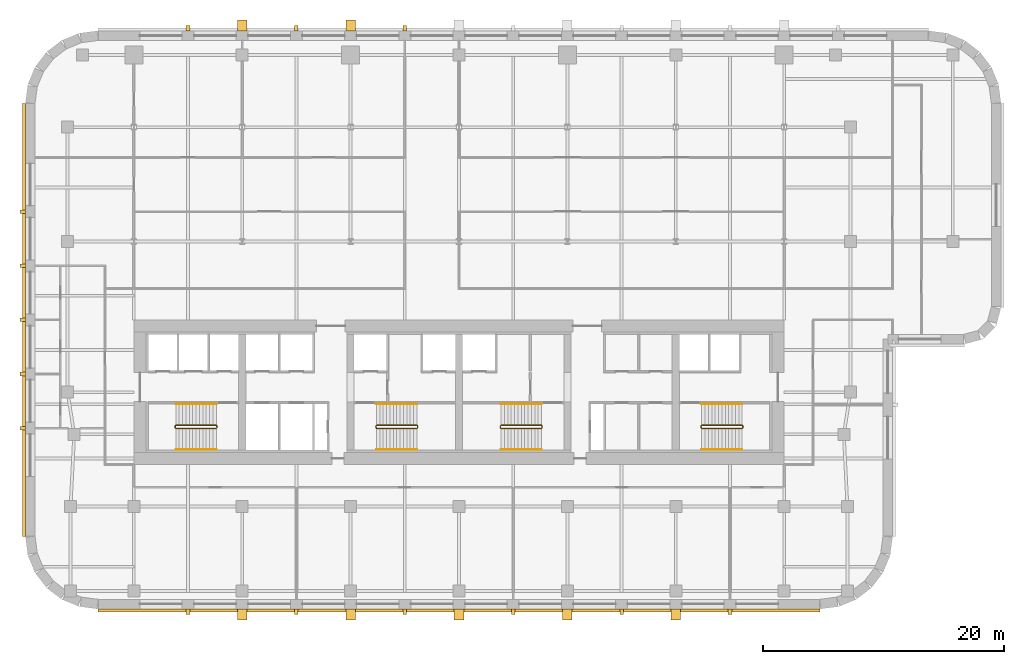
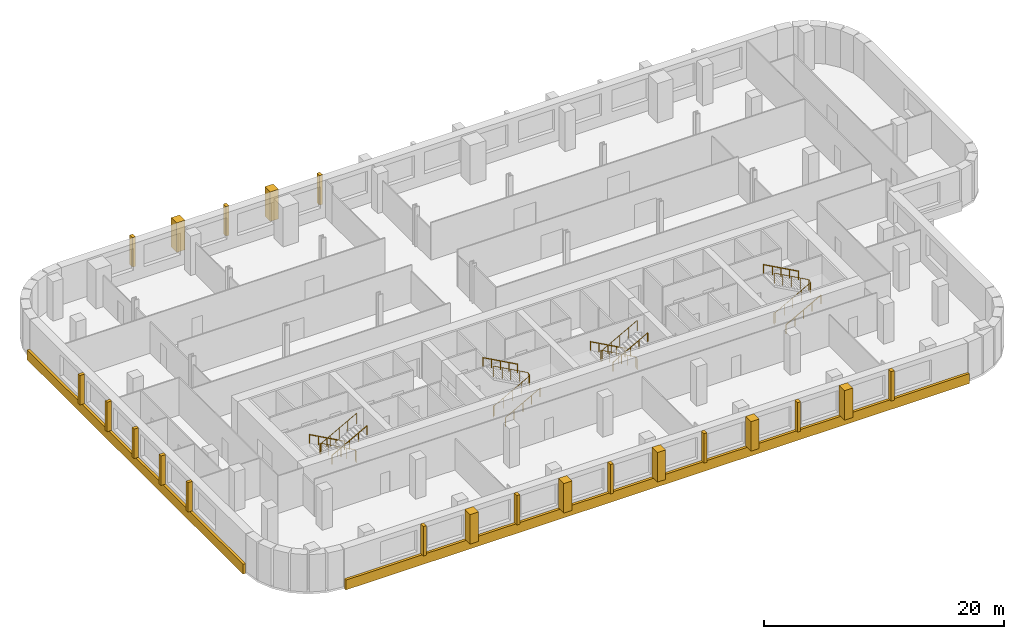
# One storey, part 9 of 10: 23 coverings, 12 railings.
"""IFC4 building model written with IfcOpenShell, lengths in metres."""

from ifc_helpers import new_model, si_unit, direction, frame, origin, origin_2d, place, context, subcontext, project, spatial, polyline, circle, outline, extrude, material, layer, layer_set, type_object, element, save


model = new_model("IFC4")

# Units and contexts
model_context = context("Model", 3, precision=1e-05, world=origin(), true_north=direction((0.0, 1.0)))
body_context = subcontext(model_context, "Body", "Model", "MODEL_VIEW")
ifc_project = project(units=[si_unit("LENGTHUNIT", "METRE"), si_unit("AREAUNIT", "SQUARE_METRE"), si_unit("VOLUMEUNIT", "CUBIC_METRE"), si_unit("PLANEANGLEUNIT", "RADIAN"), si_unit("MASSUNIT", "GRAM", prefix="KILO")], contexts=[model_context])

# Site, building, storey
site_placement = place(None, origin())
site = spatial("IfcSite", under=ifc_project, at=site_placement, CompositionType="ELEMENT")
building_placement = place(site_placement, origin())
building = spatial("IfcBuilding", under=site, at=building_placement, Name="Zellij Exchange Tower", CompositionType="ELEMENT")
storey_placement = place(building_placement, frame((0.0, 0.0, 124.5)))
storey = spatial("IfcBuildingStorey", under=building, at=storey_placement, Name="L27", CompositionType="ELEMENT", Elevation=124.5)

# Railings
ifc_material_1 = material(Name="Stainless steel", Category="steel")
railing_type_1 = type_object("IfcRailingType", Name="CORE-RG stair guard", PredefinedType="GUARDRAIL", material=ifc_material_1)
railing_1_placement = place(storey_placement, frame((-20.10009765625, -10.800048828125, 0.0)))
element("IfcRailing", 1, at=railing_1_placement, inside=storey, type_object=railing_type_1, Name="ST1 stair guard L27", PredefinedType="GUARDRAIL", context=body_context, shape_type="SweptSolid", body=[
    extrude(circle(Radius=0.02392578125, at=origin_2d()), frame((0.0, 0.0, 1.076171875), z_axis=(0.0, -1.0, 0.0), x_axis=(1.0, 0.0, 0.0)), (0.0, 0.0, 1.0), 0.14990234375),
    extrude(circle(Radius=0.02392578125, at=origin_2d()), frame((0.0, -0.14990234375, 1.076171875), z_axis=(-0.193691321961, 0.777613689637, 0.598164376644), x_axis=(-0.970351222016, -0.241699205484, 0.0)), (0.0, 0.0, 1.0), 0.257080078125),
    extrude(circle(Radius=0.02392578125, at=origin_2d()), frame((-0.0498046875, 0.050048828125, 1.22998046875), z_axis=(-0.876421534553, 0.0, 0.481544695509), x_axis=(0.0, -1.0, 0.0)), (0.0, 0.0, 1.0), 3.833984375),
    extrude(circle(Radius=0.02392578125, at=origin_2d()), frame((-3.409912109375, 0.050048828125, 3.076171875), z_axis=(-0.707106781187, -0.707106781187, 0.0), x_axis=(0.707106781187, -0.707106781187, 0.0)), (0.0, 0.0, 1.0), 0.07080078125),
    extrude(circle(Radius=0.02392578125, at=origin_2d()), frame((-3.4599609375, 0.0, 3.076171875), z_axis=(0.0, -1.0, 0.0), x_axis=(1.0, 0.0, 0.0)), (0.0, 0.0, 1.0), 0.14990234375),
    extrude(circle(Radius=0.02392578125, at=origin_2d()), frame((-3.4599609375, -0.14990234375, 3.076171875), z_axis=(0.295599637079, -0.295599637079, 0.908428152975), x_axis=(0.707106781187, 0.707106781187, 0.0)), (0.0, 0.0, 1.0), 0.16943359375),
    extrude(circle(Radius=0.02392578125, at=origin_2d()), frame((-3.409912109375, -0.199951171875, 3.22998046875), z_axis=(0.876421534553, 0.0, 0.481544695509), x_axis=(0.0, 1.0, 0.0)), (0.0, 0.0, 1.0), 3.833984375),
    extrude(circle(Radius=0.02099609375, at=origin_2d()), origin(), (0.0, 0.0, 1.0), 1.052001953125),
    extrude(circle(Radius=0.02099609375, at=origin_2d()), frame((0.0, -0.14990234375, 0.0)), (0.0, 0.0, 1.0), 1.052001953125),
    extrude(circle(Radius=0.02099609375, at=origin_2d()), frame((-0.0498046875, 0.050048828125, 0.15380859375)), (0.0, 0.0, 1.0), 1.052001953125),
    extrude(circle(Radius=0.02099609375, at=origin_2d()), frame((-0.889892578125, 0.050048828125, 0.615234375)), (0.0, 0.0, 1.0), 1.052001953125),
    extrude(circle(Radius=0.02099609375, at=origin_2d()), frame((-1.72998046875, 0.050048828125, 1.076904296875)), (0.0, 0.0, 1.0), 1.052001953125),
    extrude(circle(Radius=0.02099609375, at=origin_2d()), frame((-2.56982421875, 0.050048828125, 1.53857421875)), (0.0, 0.0, 1.0), 1.052001953125),
    extrude(circle(Radius=0.02099609375, at=origin_2d()), frame((-3.409912109375, 0.050048828125, 2.0)), (0.0, 0.0, 1.0), 1.052001953125),
    extrude(circle(Radius=0.02099609375, at=origin_2d()), frame((-3.4599609375, 0.0, 2.0)), (0.0, 0.0, 1.0), 1.052001953125),
    extrude(circle(Radius=0.02099609375, at=origin_2d()), frame((-3.4599609375, -0.14990234375, 2.0)), (0.0, 0.0, 1.0), 1.052001953125),
    extrude(circle(Radius=0.02099609375, at=origin_2d()), frame((-3.409912109375, -0.199951171875, 2.15380859375)), (0.0, 0.0, 1.0), 1.052001953125),
    extrude(circle(Radius=0.02099609375, at=origin_2d()), frame((-2.56982421875, -0.199951171875, 2.615234375)), (0.0, 0.0, 1.0), 1.052001953125),
    extrude(circle(Radius=0.02099609375, at=origin_2d()), frame((-1.72998046875, -0.199951171875, 3.076904296875)), (0.0, 0.0, 1.0), 1.052001953125),
    extrude(circle(Radius=0.02099609375, at=origin_2d()), frame((-0.889892578125, -0.199951171875, 3.53857421875)), (0.0, 0.0, 1.0), 1.052001953125),
    extrude(circle(Radius=0.02099609375, at=origin_2d()), frame((-0.0498046875, -0.199951171875, 4.0)), (0.0, 0.0, 1.0), 1.052001953125),
])
railing_2_placement = place(storey_placement, frame((-6.89990234375, -10.949951171875, 0.0)))
element("IfcRailing", 2, at=railing_2_placement, inside=storey, type_object=railing_type_1, Name="ST2 stair guard L27", PredefinedType="GUARDRAIL", context=body_context, shape_type="SweptSolid", body=[
    extrude(circle(Radius=0.02392578125, at=origin_2d()), frame((0.0, 0.0, 1.076171875), z_axis=(0.0, 1.0, 0.0), x_axis=(-1.0, 0.0, 0.0)), (0.0, 0.0, 1.0), 0.14990234375),
    extrude(circle(Radius=0.02392578125, at=origin_2d()), frame((0.0, 0.14990234375, 1.076171875), z_axis=(0.193691321961, -0.777613689637, 0.598164376644), x_axis=(0.970351222016, 0.241699205484, 0.0)), (0.0, 0.0, 1.0), 0.257080078125),
    extrude(circle(Radius=0.02392578125, at=origin_2d()), frame((0.0498046875, -0.050048828125, 1.22998046875), z_axis=(0.876421534553, 0.0, 0.481544695509), x_axis=(0.0, 1.0, 0.0)), (0.0, 0.0, 1.0), 3.833984375),
    extrude(circle(Radius=0.02392578125, at=origin_2d()), frame((3.409912109375, -0.050048828125, 3.076171875), z_axis=(0.707106781187, 0.707106781187, 0.0), x_axis=(-0.707106781187, 0.707106781187, 0.0)), (0.0, 0.0, 1.0), 0.07080078125),
    extrude(circle(Radius=0.02392578125, at=origin_2d()), frame((3.4599609375, 0.0, 3.076171875), z_axis=(0.0, 1.0, 0.0), x_axis=(-1.0, 0.0, 0.0)), (0.0, 0.0, 1.0), 0.14990234375),
    extrude(circle(Radius=0.02392578125, at=origin_2d()), frame((3.4599609375, 0.14990234375, 3.076171875), z_axis=(-0.295599637079, 0.295599637079, 0.908428152975), x_axis=(-0.707106781187, -0.707106781187, 0.0)), (0.0, 0.0, 1.0), 0.16943359375),
    extrude(circle(Radius=0.02392578125, at=origin_2d()), frame((3.409912109375, 0.199951171875, 3.22998046875), z_axis=(-0.876421534553, 0.0, 0.481544695509), x_axis=(0.0, -1.0, 0.0)), (0.0, 0.0, 1.0), 3.833984375),
    extrude(circle(Radius=0.02099609375, at=origin_2d()), origin(), (0.0, 0.0, 1.0), 1.052001953125),
    extrude(circle(Radius=0.02099609375, at=origin_2d()), frame((0.0, 0.14990234375, 0.0)), (0.0, 0.0, 1.0), 1.052001953125),
    extrude(circle(Radius=0.02099609375, at=origin_2d()), frame((0.0498046875, -0.050048828125, 0.15380859375)), (0.0, 0.0, 1.0), 1.052001953125),
    extrude(circle(Radius=0.02099609375, at=origin_2d()), frame((0.889892578125, -0.050048828125, 0.615234375)), (0.0, 0.0, 1.0), 1.052001953125),
    extrude(circle(Radius=0.02099609375, at=origin_2d()), frame((1.72998046875, -0.050048828125, 1.076904296875)), (0.0, 0.0, 1.0), 1.052001953125),
    extrude(circle(Radius=0.02099609375, at=origin_2d()), frame((2.56982421875, -0.050048828125, 1.53857421875)), (0.0, 0.0, 1.0), 1.052001953125),
    extrude(circle(Radius=0.02099609375, at=origin_2d()), frame((3.409912109375, -0.050048828125, 2.0)), (0.0, 0.0, 1.0), 1.052001953125),
    extrude(circle(Radius=0.02099609375, at=origin_2d()), frame((3.4599609375, 0.0, 2.0)), (0.0, 0.0, 1.0), 1.052001953125),
    extrude(circle(Radius=0.02099609375, at=origin_2d()), frame((3.4599609375, 0.14990234375, 2.0)), (0.0, 0.0, 1.0), 1.052001953125),
    extrude(circle(Radius=0.02099609375, at=origin_2d()), frame((3.409912109375, 0.199951171875, 2.15380859375)), (0.0, 0.0, 1.0), 1.052001953125),
    extrude(circle(Radius=0.02099609375, at=origin_2d()), frame((2.56982421875, 0.199951171875, 2.615234375)), (0.0, 0.0, 1.0), 1.052001953125),
    extrude(circle(Radius=0.02099609375, at=origin_2d()), frame((1.72998046875, 0.199951171875, 3.076904296875)), (0.0, 0.0, 1.0), 1.052001953125),
    extrude(circle(Radius=0.02099609375, at=origin_2d()), frame((0.889892578125, 0.199951171875, 3.53857421875)), (0.0, 0.0, 1.0), 1.052001953125),
    extrude(circle(Radius=0.02099609375, at=origin_2d()), frame((0.0498046875, 0.199951171875, 4.0)), (0.0, 0.0, 1.0), 1.052001953125),
])
railing_3_placement = place(storey_placement, frame((6.89990234375, -10.800048828125, 0.0)))
element("IfcRailing", 3, at=railing_3_placement, inside=storey, type_object=railing_type_1, Name="ST3 stair guard L27", PredefinedType="GUARDRAIL", context=body_context, shape_type="SweptSolid", body=[
    extrude(circle(Radius=0.02392578125, at=origin_2d()), frame((0.0, 0.0, 1.076171875), z_axis=(0.0, -1.0, 0.0), x_axis=(1.0, 0.0, 0.0)), (0.0, 0.0, 1.0), 0.14990234375),
    extrude(circle(Radius=0.02392578125, at=origin_2d()), frame((0.0, -0.14990234375, 1.076171875), z_axis=(-0.193691321961, 0.777613689637, 0.598164376644), x_axis=(-0.970351222016, -0.241699205484, 0.0)), (0.0, 0.0, 1.0), 0.257080078125),
    extrude(circle(Radius=0.02392578125, at=origin_2d()), frame((-0.0498046875, 0.050048828125, 1.22998046875), z_axis=(-0.876421534553, 0.0, 0.481544695509), x_axis=(0.0, -1.0, 0.0)), (0.0, 0.0, 1.0), 3.833984375),
    extrude(circle(Radius=0.02392578125, at=origin_2d()), frame((-3.409912109375, 0.050048828125, 3.076171875), z_axis=(-0.707106781187, -0.707106781187, 0.0), x_axis=(0.707106781187, -0.707106781187, 0.0)), (0.0, 0.0, 1.0), 0.07080078125),
    extrude(circle(Radius=0.02392578125, at=origin_2d()), frame((-3.4599609375, 0.0, 3.076171875), z_axis=(0.0, -1.0, 0.0), x_axis=(1.0, 0.0, 0.0)), (0.0, 0.0, 1.0), 0.14990234375),
    extrude(circle(Radius=0.02392578125, at=origin_2d()), frame((-3.4599609375, -0.14990234375, 3.076171875), z_axis=(0.295599637079, -0.295599637079, 0.908428152975), x_axis=(0.707106781187, 0.707106781187, 0.0)), (0.0, 0.0, 1.0), 0.16943359375),
    extrude(circle(Radius=0.02392578125, at=origin_2d()), frame((-3.409912109375, -0.199951171875, 3.22998046875), z_axis=(0.876421534553, 0.0, 0.481544695509), x_axis=(0.0, 1.0, 0.0)), (0.0, 0.0, 1.0), 3.833984375),
    extrude(circle(Radius=0.02099609375, at=origin_2d()), origin(), (0.0, 0.0, 1.0), 1.052001953125),
    extrude(circle(Radius=0.02099609375, at=origin_2d()), frame((0.0, -0.14990234375, 0.0)), (0.0, 0.0, 1.0), 1.052001953125),
    extrude(circle(Radius=0.02099609375, at=origin_2d()), frame((-0.0498046875, 0.050048828125, 0.15380859375)), (0.0, 0.0, 1.0), 1.052001953125),
    extrude(circle(Radius=0.02099609375, at=origin_2d()), frame((-0.889892578125, 0.050048828125, 0.615234375)), (0.0, 0.0, 1.0), 1.052001953125),
    extrude(circle(Radius=0.02099609375, at=origin_2d()), frame((-1.72998046875, 0.050048828125, 1.076904296875)), (0.0, 0.0, 1.0), 1.052001953125),
    extrude(circle(Radius=0.02099609375, at=origin_2d()), frame((-2.56982421875, 0.050048828125, 1.53857421875)), (0.0, 0.0, 1.0), 1.052001953125),
    extrude(circle(Radius=0.02099609375, at=origin_2d()), frame((-3.409912109375, 0.050048828125, 2.0)), (0.0, 0.0, 1.0), 1.052001953125),
    extrude(circle(Radius=0.02099609375, at=origin_2d()), frame((-3.4599609375, 0.0, 2.0)), (0.0, 0.0, 1.0), 1.052001953125),
    extrude(circle(Radius=0.02099609375, at=origin_2d()), frame((-3.4599609375, -0.14990234375, 2.0)), (0.0, 0.0, 1.0), 1.052001953125),
    extrude(circle(Radius=0.02099609375, at=origin_2d()), frame((-3.409912109375, -0.199951171875, 2.15380859375)), (0.0, 0.0, 1.0), 1.052001953125),
    extrude(circle(Radius=0.02099609375, at=origin_2d()), frame((-2.56982421875, -0.199951171875, 2.615234375)), (0.0, 0.0, 1.0), 1.052001953125),
    extrude(circle(Radius=0.02099609375, at=origin_2d()), frame((-1.72998046875, -0.199951171875, 3.076904296875)), (0.0, 0.0, 1.0), 1.052001953125),
    extrude(circle(Radius=0.02099609375, at=origin_2d()), frame((-0.889892578125, -0.199951171875, 3.53857421875)), (0.0, 0.0, 1.0), 1.052001953125),
    extrude(circle(Radius=0.02099609375, at=origin_2d()), frame((-0.0498046875, -0.199951171875, 4.0)), (0.0, 0.0, 1.0), 1.052001953125),
])
railing_4_placement = place(storey_placement, frame((20.10009765625, -10.949951171875, 0.0)))
element("IfcRailing", 4, at=railing_4_placement, inside=storey, type_object=railing_type_1, Name="ST4 stair guard L27", PredefinedType="GUARDRAIL", context=body_context, shape_type="SweptSolid", body=[
    extrude(circle(Radius=0.02392578125, at=origin_2d()), frame((0.0, 0.0, 1.076171875), z_axis=(0.0, 1.0, 0.0), x_axis=(-1.0, 0.0, 0.0)), (0.0, 0.0, 1.0), 0.14990234375),
    extrude(circle(Radius=0.02392578125, at=origin_2d()), frame((0.0, 0.14990234375, 1.076171875), z_axis=(0.193691321961, -0.777613689637, 0.598164376644), x_axis=(0.970351222016, 0.241699205484, 0.0)), (0.0, 0.0, 1.0), 0.257080078125),
    extrude(circle(Radius=0.02392578125, at=origin_2d()), frame((0.0498046875, -0.050048828125, 1.22998046875), z_axis=(0.876421534553, 0.0, 0.481544695509), x_axis=(0.0, 1.0, 0.0)), (0.0, 0.0, 1.0), 3.833984375),
    extrude(circle(Radius=0.02392578125, at=origin_2d()), frame((3.409912109375, -0.050048828125, 3.076171875), z_axis=(0.707106781187, 0.707106781187, 0.0), x_axis=(-0.707106781187, 0.707106781187, 0.0)), (0.0, 0.0, 1.0), 0.07080078125),
    extrude(circle(Radius=0.02392578125, at=origin_2d()), frame((3.4599609375, 0.0, 3.076171875), z_axis=(0.0, 1.0, 0.0), x_axis=(-1.0, 0.0, 0.0)), (0.0, 0.0, 1.0), 0.14990234375),
    extrude(circle(Radius=0.02392578125, at=origin_2d()), frame((3.4599609375, 0.14990234375, 3.076171875), z_axis=(-0.295599637079, 0.295599637079, 0.908428152975), x_axis=(-0.707106781187, -0.707106781187, 0.0)), (0.0, 0.0, 1.0), 0.16943359375),
    extrude(circle(Radius=0.02392578125, at=origin_2d()), frame((3.409912109375, 0.199951171875, 3.22998046875), z_axis=(-0.876421534553, 0.0, 0.481544695509), x_axis=(0.0, -1.0, 0.0)), (0.0, 0.0, 1.0), 3.833984375),
    extrude(circle(Radius=0.02099609375, at=origin_2d()), origin(), (0.0, 0.0, 1.0), 1.052001953125),
    extrude(circle(Radius=0.02099609375, at=origin_2d()), frame((0.0, 0.14990234375, 0.0)), (0.0, 0.0, 1.0), 1.052001953125),
    extrude(circle(Radius=0.02099609375, at=origin_2d()), frame((0.0498046875, -0.050048828125, 0.15380859375)), (0.0, 0.0, 1.0), 1.052001953125),
    extrude(circle(Radius=0.02099609375, at=origin_2d()), frame((0.889892578125, -0.050048828125, 0.615234375)), (0.0, 0.0, 1.0), 1.052001953125),
    extrude(circle(Radius=0.02099609375, at=origin_2d()), frame((1.72998046875, -0.050048828125, 1.076904296875)), (0.0, 0.0, 1.0), 1.052001953125),
    extrude(circle(Radius=0.02099609375, at=origin_2d()), frame((2.56982421875, -0.050048828125, 1.53857421875)), (0.0, 0.0, 1.0), 1.052001953125),
    extrude(circle(Radius=0.02099609375, at=origin_2d()), frame((3.409912109375, -0.050048828125, 2.0)), (0.0, 0.0, 1.0), 1.052001953125),
    extrude(circle(Radius=0.02099609375, at=origin_2d()), frame((3.4599609375, 0.0, 2.0)), (0.0, 0.0, 1.0), 1.052001953125),
    extrude(circle(Radius=0.02099609375, at=origin_2d()), frame((3.4599609375, 0.14990234375, 2.0)), (0.0, 0.0, 1.0), 1.052001953125),
    extrude(circle(Radius=0.02099609375, at=origin_2d()), frame((3.409912109375, 0.199951171875, 2.15380859375)), (0.0, 0.0, 1.0), 1.052001953125),
    extrude(circle(Radius=0.02099609375, at=origin_2d()), frame((2.56982421875, 0.199951171875, 2.615234375)), (0.0, 0.0, 1.0), 1.052001953125),
    extrude(circle(Radius=0.02099609375, at=origin_2d()), frame((1.72998046875, 0.199951171875, 3.076904296875)), (0.0, 0.0, 1.0), 1.052001953125),
    extrude(circle(Radius=0.02099609375, at=origin_2d()), frame((0.889892578125, 0.199951171875, 3.53857421875)), (0.0, 0.0, 1.0), 1.052001953125),
    extrude(circle(Radius=0.02099609375, at=origin_2d()), frame((0.0498046875, 0.199951171875, 4.0)), (0.0, 0.0, 1.0), 1.052001953125),
])
railing_type_2 = type_object("IfcRailingType", Name="CORE-RH stair handrail", PredefinedType="HANDRAIL", material=ifc_material_1)
railing_5_placement = place(storey_placement, frame((-20.14990234375, -9.0, 0.15380859375)))
element("IfcRailing", 5, at=railing_5_placement, inside=storey, type_object=railing_type_2, Name="ST1 stair handrail L27", PredefinedType="HANDRAIL", context=body_context, shape_type="SweptSolid", body=[
    extrude(circle(Radius=0.02392578125, at=origin_2d()), frame((0.0, 0.0, 0.8759765625), z_axis=(-0.876421534553, 0.0, 0.481544695509), x_axis=(0.0, -1.0, 0.0)), (0.0, 0.0, 1.0), 3.833984375),
    extrude(circle(Radius=0.02099609375, at=origin_2d()), origin(), (0.0, 0.0, 1.0), 0.851806640625),
    extrude(circle(Radius=0.02099609375, at=origin_2d()), frame((-0.840087890625, 0.0, 0.46142578125)), (0.0, 0.0, 1.0), 0.851806640625),
    extrude(circle(Radius=0.02099609375, at=origin_2d()), frame((-1.68017578125, 0.0, 0.923095703125)), (0.0, 0.0, 1.0), 0.851806640625),
    extrude(circle(Radius=0.02099609375, at=origin_2d()), frame((-2.52001953125, 0.0, 1.384765625)), (0.0, 0.0, 1.0), 0.851806640625),
    extrude(circle(Radius=0.02099609375, at=origin_2d()), frame((-3.360107421875, 0.0, 1.84619140625)), (0.0, 0.0, 1.0), 0.851806640625),
])
for number, where, name in (
    (6, (-23.510009765625, -12.75, 2.15380859375), "ST1 stair handrail L27"),
    (7, (-6.85009765625, -12.75, 0.15380859375), "ST2 stair handrail L27"),
):
    element("IfcRailing", number, at=place(storey_placement, frame(where)), inside=storey, type_object=railing_type_2, Name=name, PredefinedType="HANDRAIL", context=body_context, shape_type="SweptSolid", body=[
        extrude(circle(Radius=0.02392578125, at=origin_2d()), frame((0.0, 0.0, 0.8759765625), z_axis=(0.876421534553, 0.0, 0.481544695509), x_axis=(0.0, 1.0, 0.0)), (0.0, 0.0, 1.0), 3.833984375),
        extrude(circle(Radius=0.02099609375, at=origin_2d()), origin(), (0.0, 0.0, 1.0), 0.851806640625),
        extrude(circle(Radius=0.02099609375, at=origin_2d()), frame((0.840087890625, 0.0, 0.46142578125)), (0.0, 0.0, 1.0), 0.851806640625),
        extrude(circle(Radius=0.02099609375, at=origin_2d()), frame((1.68017578125, 0.0, 0.923095703125)), (0.0, 0.0, 1.0), 0.851806640625),
        extrude(circle(Radius=0.02099609375, at=origin_2d()), frame((2.52001953125, 0.0, 1.384765625)), (0.0, 0.0, 1.0), 0.851806640625),
        extrude(circle(Radius=0.02099609375, at=origin_2d()), frame((3.360107421875, 0.0, 1.84619140625)), (0.0, 0.0, 1.0), 0.851806640625),
    ])
for number, where, name in (
    (8, (-3.489990234375, -9.0, 2.15380859375), "ST2 stair handrail L27"),
    (9, (6.85009765625, -9.0, 0.15380859375), "ST3 stair handrail L27"),
):
    element("IfcRailing", number, at=place(storey_placement, frame(where)), inside=storey, type_object=railing_type_2, Name=name, PredefinedType="HANDRAIL", context=body_context, shape_type="SweptSolid", body=[
        extrude(circle(Radius=0.02392578125, at=origin_2d()), frame((0.0, 0.0, 0.8759765625), z_axis=(-0.876421534553, 0.0, 0.481544695509), x_axis=(0.0, -1.0, 0.0)), (0.0, 0.0, 1.0), 3.833984375),
        extrude(circle(Radius=0.02099609375, at=origin_2d()), origin(), (0.0, 0.0, 1.0), 0.851806640625),
        extrude(circle(Radius=0.02099609375, at=origin_2d()), frame((-0.840087890625, 0.0, 0.46142578125)), (0.0, 0.0, 1.0), 0.851806640625),
        extrude(circle(Radius=0.02099609375, at=origin_2d()), frame((-1.68017578125, 0.0, 0.923095703125)), (0.0, 0.0, 1.0), 0.851806640625),
        extrude(circle(Radius=0.02099609375, at=origin_2d()), frame((-2.52001953125, 0.0, 1.384765625)), (0.0, 0.0, 1.0), 0.851806640625),
        extrude(circle(Radius=0.02099609375, at=origin_2d()), frame((-3.360107421875, 0.0, 1.84619140625)), (0.0, 0.0, 1.0), 0.851806640625),
    ])
for number, where, name in (
    (10, (3.489990234375, -12.75, 2.15380859375), "ST3 stair handrail L27"),
    (11, (20.14990234375, -12.75, 0.15380859375), "ST4 stair handrail L27"),
):
    element("IfcRailing", number, at=place(storey_placement, frame(where)), inside=storey, type_object=railing_type_2, Name=name, PredefinedType="HANDRAIL", context=body_context, shape_type="SweptSolid", body=[
        extrude(circle(Radius=0.02392578125, at=origin_2d()), frame((0.0, 0.0, 0.8759765625), z_axis=(0.876421534553, 0.0, 0.481544695509), x_axis=(0.0, 1.0, 0.0)), (0.0, 0.0, 1.0), 3.833984375),
        extrude(circle(Radius=0.02099609375, at=origin_2d()), origin(), (0.0, 0.0, 1.0), 0.851806640625),
        extrude(circle(Radius=0.02099609375, at=origin_2d()), frame((0.840087890625, 0.0, 0.46142578125)), (0.0, 0.0, 1.0), 0.851806640625),
        extrude(circle(Radius=0.02099609375, at=origin_2d()), frame((1.68017578125, 0.0, 0.923095703125)), (0.0, 0.0, 1.0), 0.851806640625),
        extrude(circle(Radius=0.02099609375, at=origin_2d()), frame((2.52001953125, 0.0, 1.384765625)), (0.0, 0.0, 1.0), 0.851806640625),
        extrude(circle(Radius=0.02099609375, at=origin_2d()), frame((3.360107421875, 0.0, 1.84619140625)), (0.0, 0.0, 1.0), 0.851806640625),
    ])
railing_6_placement = place(storey_placement, frame((23.510009765625, -9.0, 2.15380859375)))
element("IfcRailing", 12, at=railing_6_placement, inside=storey, type_object=railing_type_2, Name="ST4 stair handrail L27", PredefinedType="HANDRAIL", context=body_context, shape_type="SweptSolid", body=[
    extrude(circle(Radius=0.02392578125, at=origin_2d()), frame((0.0, 0.0, 0.8759765625), z_axis=(-0.876421534553, 0.0, 0.481544695509), x_axis=(0.0, -1.0, 0.0)), (0.0, 0.0, 1.0), 3.833984375),
    extrude(circle(Radius=0.02099609375, at=origin_2d()), origin(), (0.0, 0.0, 1.0), 0.851806640625),
    extrude(circle(Radius=0.02099609375, at=origin_2d()), frame((-0.840087890625, 0.0, 0.46142578125)), (0.0, 0.0, 1.0), 0.851806640625),
    extrude(circle(Radius=0.02099609375, at=origin_2d()), frame((-1.68017578125, 0.0, 0.923095703125)), (0.0, 0.0, 1.0), 0.851806640625),
    extrude(circle(Radius=0.02099609375, at=origin_2d()), frame((-2.52001953125, 0.0, 1.384765625)), (0.0, 0.0, 1.0), 0.851806640625),
    extrude(circle(Radius=0.02099609375, at=origin_2d()), frame((-3.360107421875, 0.0, 1.84619140625)), (0.0, 0.0, 1.0), 0.851806640625),
])

# Coverings
ifc_material_2 = material(Name="Limestone cladding", Category="masonry")
covering_type_1 = type_object("IfcCoveringType", Name="ENV-CV5 Stone pier 800x900", PredefinedType="CLADDING", material=ifc_material_2)
covering_1_placement = place(storey_placement, frame((0.0, 0.0, 0.800048828125)))
element("IfcCovering", 13, at=covering_1_placement, inside=storey, type_object=covering_type_1, Name="Stone pier", PredefinedType="CLADDING", context=body_context, shape_type="SweptSolid", body=[
    extrude(outline(polyline([(-18.39990234375, -26.0), (-17.60009765625, -26.0), (-17.60009765625, -26.89990234375), (-18.39990234375, -26.89990234375), (-18.39990234375, -26.0)])), origin(), (0.0, 0.0, 1.0), 3.0),
])
covering_2_placement = place(storey_placement, frame((0.0, 0.0, 0.800048828125)))
element("IfcCovering", 14, at=covering_2_placement, inside=storey, type_object=covering_type_1, Name="Stone pier", PredefinedType="CLADDING", context=body_context, shape_type="SweptSolid", body=[
    extrude(outline(polyline([(-9.39990234375, -26.0), (-8.60009765625, -26.0), (-8.60009765625, -26.89990234375), (-9.39990234375, -26.89990234375), (-9.39990234375, -26.0)])), origin(), (0.0, 0.0, 1.0), 3.0),
])
covering_3_placement = place(storey_placement, frame((0.0, 0.0, 0.800048828125)))
element("IfcCovering", 15, at=covering_3_placement, inside=storey, type_object=covering_type_1, Name="Stone pier", PredefinedType="CLADDING", context=body_context, shape_type="SweptSolid", body=[
    extrude(outline(polyline([(-0.39990234375, -26.0), (0.39990234375, -26.0), (0.39990234375, -26.89990234375), (-0.39990234375, -26.89990234375), (-0.39990234375, -26.0)])), origin(), (0.0, 0.0, 1.0), 3.0),
])
covering_4_placement = place(storey_placement, frame((0.0, 0.0, 0.800048828125)))
element("IfcCovering", 16, at=covering_4_placement, inside=storey, type_object=covering_type_1, Name="Stone pier", PredefinedType="CLADDING", context=body_context, shape_type="SweptSolid", body=[
    extrude(outline(polyline([(8.60009765625, -26.0), (9.39990234375, -26.0), (9.39990234375, -26.89990234375), (8.60009765625, -26.89990234375), (8.60009765625, -26.0)])), origin(), (0.0, 0.0, 1.0), 3.0),
])
covering_5_placement = place(storey_placement, frame((0.0, 0.0, 0.800048828125)))
element("IfcCovering", 17, at=covering_5_placement, inside=storey, type_object=covering_type_1, Name="Stone pier", PredefinedType="CLADDING", context=body_context, shape_type="SweptSolid", body=[
    extrude(outline(polyline([(17.60009765625, -26.0), (18.39990234375, -26.0), (18.39990234375, -26.89990234375), (17.60009765625, -26.89990234375), (17.60009765625, -26.0)])), origin(), (0.0, 0.0, 1.0), 3.0),
])
covering_6_placement = place(storey_placement, frame((0.0, 0.0, 0.800048828125)))
element("IfcCovering", 18, at=covering_6_placement, inside=storey, type_object=covering_type_1, Name="Stone pier", PredefinedType="CLADDING", context=body_context, shape_type="SweptSolid", body=[
    extrude(outline(polyline([(-8.60009765625, 22.0), (-9.39990234375, 22.0), (-9.39990234375, 22.89990234375), (-8.60009765625, 22.89990234375), (-8.60009765625, 22.0)])), origin(), (0.0, 0.0, 1.0), 3.0),
])
covering_7_placement = place(storey_placement, frame((0.0, 0.0, 0.800048828125)))
element("IfcCovering", 19, at=covering_7_placement, inside=storey, type_object=covering_type_1, Name="Stone pier", PredefinedType="CLADDING", context=body_context, shape_type="SweptSolid", body=[
    extrude(outline(polyline([(-17.60009765625, 22.0), (-18.39990234375, 22.0), (-18.39990234375, 22.89990234375), (-17.60009765625, 22.89990234375), (-17.60009765625, 22.0)])), origin(), (0.0, 0.0, 1.0), 3.0),
])
covering_type_2 = type_object("IfcCoveringType", Name="ENV-CV7 Stone pier 300x450", PredefinedType="CLADDING", material=ifc_material_2)
covering_8_placement = place(storey_placement, frame((0.0, 0.0, 0.800048828125)))
element("IfcCovering", 20, at=covering_8_placement, inside=storey, type_object=covering_type_2, Name="Stone pier", PredefinedType="CLADDING", context=body_context, shape_type="SweptSolid", body=[
    extrude(outline(polyline([(-22.64990234375, -26.0), (-22.35009765625, -26.0), (-22.35009765625, -26.449951171875), (-22.64990234375, -26.449951171875), (-22.64990234375, -26.0)])), origin(), (0.0, 0.0, 1.0), 3.0),
])
covering_9_placement = place(storey_placement, frame((0.0, 0.0, 0.800048828125)))
element("IfcCovering", 21, at=covering_9_placement, inside=storey, type_object=covering_type_2, Name="Stone pier", PredefinedType="CLADDING", context=body_context, shape_type="SweptSolid", body=[
    extrude(outline(polyline([(-13.64990234375, -26.0), (-13.35009765625, -26.0), (-13.35009765625, -26.449951171875), (-13.64990234375, -26.449951171875), (-13.64990234375, -26.0)])), origin(), (0.0, 0.0, 1.0), 3.0),
])
covering_10_placement = place(storey_placement, frame((0.0, 0.0, 0.800048828125)))
element("IfcCovering", 22, at=covering_10_placement, inside=storey, type_object=covering_type_2, Name="Stone pier", PredefinedType="CLADDING", context=body_context, shape_type="SweptSolid", body=[
    extrude(outline(polyline([(-4.64990234375, -26.0), (-4.35009765625, -26.0), (-4.35009765625, -26.449951171875), (-4.64990234375, -26.449951171875), (-4.64990234375, -26.0)])), origin(), (0.0, 0.0, 1.0), 3.0),
])
covering_11_placement = place(storey_placement, frame((0.0, 0.0, 0.800048828125)))
element("IfcCovering", 23, at=covering_11_placement, inside=storey, type_object=covering_type_2, Name="Stone pier", PredefinedType="CLADDING", context=body_context, shape_type="SweptSolid", body=[
    extrude(outline(polyline([(4.35009765625, -26.0), (4.64990234375, -26.0), (4.64990234375, -26.449951171875), (4.35009765625, -26.449951171875), (4.35009765625, -26.0)])), origin(), (0.0, 0.0, 1.0), 3.0),
])
covering_12_placement = place(storey_placement, frame((0.0, 0.0, 0.800048828125)))
element("IfcCovering", 24, at=covering_12_placement, inside=storey, type_object=covering_type_2, Name="Stone pier", PredefinedType="CLADDING", context=body_context, shape_type="SweptSolid", body=[
    extrude(outline(polyline([(13.35009765625, -26.0), (13.64990234375, -26.0), (13.64990234375, -26.449951171875), (13.35009765625, -26.449951171875), (13.35009765625, -26.0)])), origin(), (0.0, 0.0, 1.0), 3.0),
])
covering_13_placement = place(storey_placement, frame((0.0, 0.0, 0.800048828125)))
element("IfcCovering", 25, at=covering_13_placement, inside=storey, type_object=covering_type_2, Name="Stone pier", PredefinedType="CLADDING", context=body_context, shape_type="SweptSolid", body=[
    extrude(outline(polyline([(22.35009765625, -26.0), (22.64990234375, -26.0), (22.64990234375, -26.449951171875), (22.35009765625, -26.449951171875), (22.35009765625, -26.0)])), origin(), (0.0, 0.0, 1.0), 3.0),
])
covering_14_placement = place(storey_placement, frame((0.0, 0.0, 0.800048828125)))
element("IfcCovering", 26, at=covering_14_placement, inside=storey, type_object=covering_type_2, Name="Stone pier", PredefinedType="CLADDING", context=body_context, shape_type="SweptSolid", body=[
    extrude(outline(polyline([(-4.35009765625, 22.0), (-4.64990234375, 22.0), (-4.64990234375, 22.449951171875), (-4.35009765625, 22.449951171875), (-4.35009765625, 22.0)])), origin(), (0.0, 0.0, 1.0), 3.0),
])
covering_15_placement = place(storey_placement, frame((0.0, 0.0, 0.800048828125)))
element("IfcCovering", 27, at=covering_15_placement, inside=storey, type_object=covering_type_2, Name="Stone pier", PredefinedType="CLADDING", context=body_context, shape_type="SweptSolid", body=[
    extrude(outline(polyline([(-13.35009765625, 22.0), (-13.64990234375, 22.0), (-13.64990234375, 22.449951171875), (-13.35009765625, 22.449951171875), (-13.35009765625, 22.0)])), origin(), (0.0, 0.0, 1.0), 3.0),
])
covering_16_placement = place(storey_placement, frame((0.0, 0.0, 0.800048828125)))
element("IfcCovering", 28, at=covering_16_placement, inside=storey, type_object=covering_type_2, Name="Stone pier", PredefinedType="CLADDING", context=body_context, shape_type="SweptSolid", body=[
    extrude(outline(polyline([(-22.35009765625, 22.0), (-22.64990234375, 22.0), (-22.64990234375, 22.449951171875), (-22.35009765625, 22.449951171875), (-22.35009765625, 22.0)])), origin(), (0.0, 0.0, 1.0), 3.0),
])
covering_17_placement = place(storey_placement, frame((0.0, 0.0, 0.800048828125)))
element("IfcCovering", 29, at=covering_17_placement, inside=storey, type_object=covering_type_2, Name="Stone pier", PredefinedType="CLADDING", context=body_context, shape_type="SweptSolid", body=[
    extrude(outline(polyline([(-36.0, 7.136962890625), (-36.0, 6.8369140625), (-36.449951171875, 6.8369140625), (-36.449951171875, 7.136962890625), (-36.0, 7.136962890625)])), origin(), (0.0, 0.0, 1.0), 3.0),
])
covering_18_placement = place(storey_placement, frame((0.0, 0.0, 0.800048828125)))
element("IfcCovering", 30, at=covering_18_placement, inside=storey, type_object=covering_type_2, Name="Stone pier", PredefinedType="CLADDING", context=body_context, shape_type="SweptSolid", body=[
    extrude(outline(polyline([(-36.0, 2.6435546875), (-36.0, 2.343505859375), (-36.449951171875, 2.343505859375), (-36.449951171875, 2.6435546875), (-36.0, 2.6435546875)])), origin(), (0.0, 0.0, 1.0), 3.0),
])
covering_19_placement = place(storey_placement, frame((0.0, 0.0, 0.800048828125)))
element("IfcCovering", 31, at=covering_19_placement, inside=storey, type_object=covering_type_2, Name="Stone pier", PredefinedType="CLADDING", context=body_context, shape_type="SweptSolid", body=[
    extrude(outline(polyline([(-36.0, -1.85009765625), (-36.0, -2.14990234375), (-36.449951171875, -2.14990234375), (-36.449951171875, -1.85009765625), (-36.0, -1.85009765625)])), origin(), (0.0, 0.0, 1.0), 3.0),
])
covering_20_placement = place(storey_placement, frame((0.0, 0.0, 0.800048828125)))
element("IfcCovering", 32, at=covering_20_placement, inside=storey, type_object=covering_type_2, Name="Stone pier", PredefinedType="CLADDING", context=body_context, shape_type="SweptSolid", body=[
    extrude(outline(polyline([(-36.0, -6.343505859375), (-36.0, -6.643310546875), (-36.449951171875, -6.643310546875), (-36.449951171875, -6.343505859375), (-36.0, -6.343505859375)])), origin(), (0.0, 0.0, 1.0), 3.0),
])
covering_21_placement = place(storey_placement, frame((0.0, 0.0, 0.800048828125)))
element("IfcCovering", 33, at=covering_21_placement, inside=storey, type_object=covering_type_2, Name="Stone pier", PredefinedType="CLADDING", context=body_context, shape_type="SweptSolid", body=[
    extrude(outline(polyline([(-36.0, -10.8369140625), (-36.0, -11.136962890625), (-36.449951171875, -11.136962890625), (-36.449951171875, -10.8369140625), (-36.0, -10.8369140625)])), origin(), (0.0, 0.0, 1.0), 3.0),
])
ifc_layer = layer(ifc_material_2, 0.25)
ifc_layer_set = layer_set([ifc_layer], Name="Limestone cladding")
covering_type_3 = type_object("IfcCoveringType", Name="ENV-CV8 Stone spandrel band 250", PredefinedType="CLADDING", material=ifc_layer_set)
covering_22_placement = place(storey_placement, frame((0.0, 0.0, -0.199951171875)))
element("IfcCovering", 34, at=covering_22_placement, inside=storey, type_object=covering_type_3, Name="Stone spandrel band", PredefinedType="CLADDING", context=body_context, shape_type="SweptSolid", body=[
    extrude(outline(polyline([(-29.973876953125, -26.0), (29.973876953125, -26.0), (29.990234375, -26.25), (-29.990234375, -26.25), (-29.973876953125, -26.0)])), origin(), (0.0, 0.0, 1.0), 1.0),
])
covering_23_placement = place(storey_placement, frame((0.0, 0.0, -0.199951171875)))
element("IfcCovering", 35, at=covering_23_placement, inside=storey, type_object=covering_type_3, Name="Stone spandrel band", PredefinedType="CLADDING", context=body_context, shape_type="SweptSolid", body=[
    extrude(outline(polyline([(-36.0, 15.973876953125), (-36.0, -19.973876953125), (-36.25, -19.990234375), (-36.25, 15.990234375), (-36.0, 15.973876953125)])), origin(), (0.0, 0.0, 1.0), 1.0),
])

save(model, "model.ifc")
